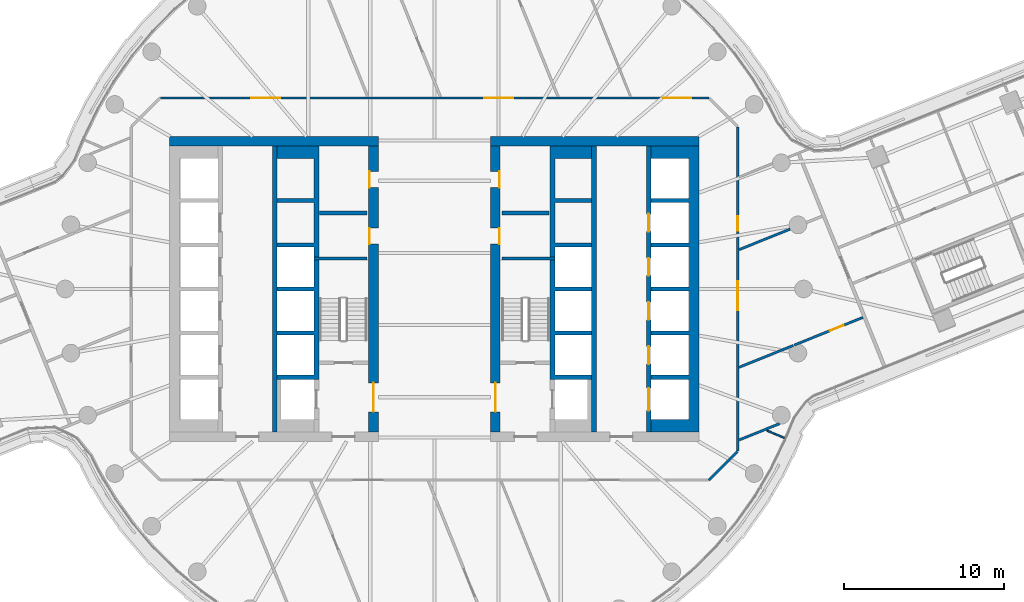
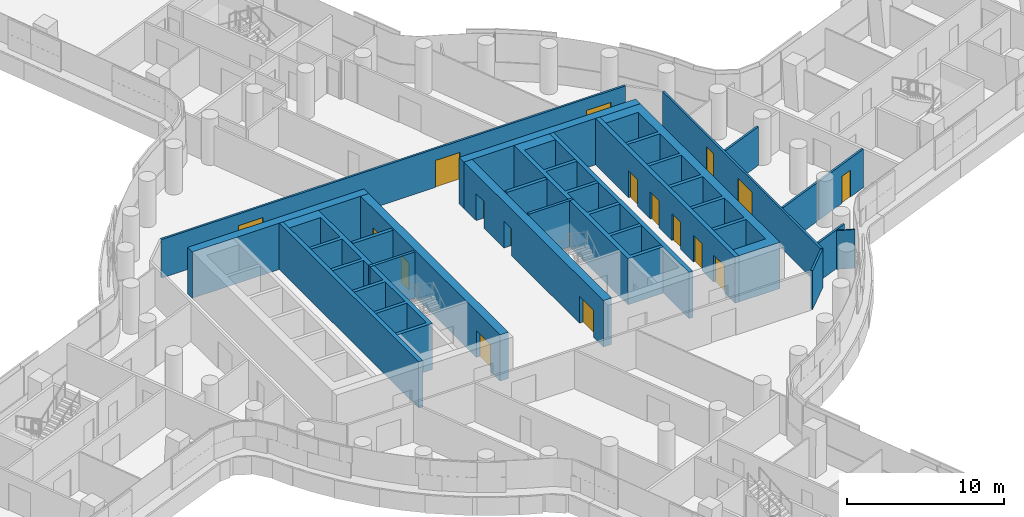
# One storey, part 22 of 32: 22 walls, 17 doors, 17 openings.
"""IFC4 building model written with IfcOpenShell, lengths in metres."""

from ifc_helpers import new_model, si_unit, direction, frame, frame_2d, origin, place, context, subcontext, project, spatial, polyline, rectangle, outline, extrude, material, layer, layer_set, type_object, element, fill, save


model = new_model("IFC4")

# Units and contexts
model_context = context("Model", 3, precision=1e-05, world=origin(), true_north=direction((0.0, 1.0)))
body_context = subcontext(model_context, "Body", "Model", "MODEL_VIEW")
ifc_project = project(units=[si_unit("LENGTHUNIT", "METRE"), si_unit("AREAUNIT", "SQUARE_METRE"), si_unit("VOLUMEUNIT", "CUBIC_METRE"), si_unit("PLANEANGLEUNIT", "RADIAN"), si_unit("MASSUNIT", "GRAM", prefix="KILO")], contexts=[model_context])

# Site, building, storey
site_placement = place(None, origin())
site = spatial("IfcSite", under=ifc_project, at=site_placement, CompositionType="ELEMENT")
building_placement = place(site_placement, origin())
building = spatial("IfcBuilding", under=site, at=building_placement, Name="Tamarind Cross Interchange Tower", CompositionType="ELEMENT")
storey_placement = place(building_placement, frame((0.0, 0.0, 113.5)))
storey = spatial("IfcBuildingStorey", under=building, at=storey_placement, Name="L27", CompositionType="ELEMENT", Elevation=113.5)

# Wall
ifc_material_1 = material(Name="Concrete C70", Category="concrete")
ifc_layer_1 = layer(ifc_material_1, 0.60009765625)
ifc_layer_set_1 = layer_set([ifc_layer_1], Name="Concrete C70")
wall_type_1 = type_object("IfcWallType", Name="Core wall 600 mm Concrete C70", PredefinedType="SHEAR", material=ifc_layer_set_1)
wall_1_placement = place(storey_placement, frame((-16.5, 9.199951171875, 0.0), z_axis=(0.0, 0.0, 1.0), x_axis=(1.0, 0.0, 0.0)))
element("IfcWall", 1, at=wall_1_placement, inside=storey, type_object=wall_type_1, Name="Core wall CWL-L27-W-NE", PredefinedType="SHEAR", context=body_context, shape_type="SweptSolid", body=[
    extrude(rectangle(XDim=13.0, YDim=0.60009765625, at=frame_2d((6.5, 0.0))), origin(), (0.0, 0.0, 1.0), 3.610107421875),
])

# Wall, openings, doors
wall_2_placement = place(storey_placement, frame((-3.800048828125, -8.89990234375, 0.0), z_axis=(0.0, 0.0, 1.0), x_axis=(0.0, 1.0, 0.0)))
wall_2 = element("IfcWall", 2, at=wall_2_placement, inside=storey, type_object=wall_type_1, Name="Core wall CWL-L27-W-IN", PredefinedType="SHEAR", context=body_context, shape_type="SweptSolid", body=[
    extrude(rectangle(XDim=17.7998046875, YDim=0.60009765625, at=frame_2d((8.89990234375, 0.0))), origin(), (0.0, 0.0, 1.0), 3.610107421875),
])
opening_1_placement = place(wall_2_placement, frame((1.25, 0.0, 0.0)))
opening_1 = element("IfcOpeningElement", 3, at=opening_1_placement, cuts=wall_2, Name="Opening DCW4", PredefinedType="OPENING", context=body_context, shape_type="SweptSolid", body=[
    extrude(rectangle(XDim=1.800048828125, YDim=2.10009765625, at=frame_2d((0.89990234375, 1.050048828125))), frame((0.0, 0.31005859375, 0.0), z_axis=(0.0, -1.0, 0.0), x_axis=(1.0, 0.0, 0.0)), (0.0, 0.0, 1.0), 0.6201171875),
])
opening_2_placement = place(wall_2_placement, frame((11.697509765625, 0.0, 0.0)))
opening_2 = element("IfcOpeningElement", 4, at=opening_2_placement, cuts=wall_2, Name="Opening DCW5", PredefinedType="OPENING", context=body_context, shape_type="SweptSolid", body=[
    extrude(rectangle(XDim=1.0, YDim=2.10009765625, at=frame_2d((0.5, 1.050048828125))), frame((0.0, 0.31005859375, 0.0), z_axis=(0.0, -1.0, 0.0), x_axis=(1.0, 0.0, 0.0)), (0.0, 0.0, 1.0), 0.6201171875),
])
opening_3_placement = place(wall_2_placement, frame((15.222412109375, 0.0, 0.0)))
opening_3 = element("IfcOpeningElement", 5, at=opening_3_placement, cuts=wall_2, Name="Opening DCW5", PredefinedType="OPENING", context=body_context, shape_type="SweptSolid", body=[
    extrude(rectangle(XDim=1.0, YDim=2.10009765625, at=frame_2d((0.5, 1.050048828125))), frame((0.0, 0.31005859375, 0.0), z_axis=(0.0, -1.0, 0.0), x_axis=(1.0, 0.0, 0.0)), (0.0, 0.0, 1.0), 0.6201171875),
])
ifc_material_2 = material(Name="Steel, fire-resisting", Category="steel")
door_type_1 = type_object("IfcDoorType", Name="Core fire door 1000 x 2100 FD90", OperationType="SINGLE_SWING_LEFT", PredefinedType="DOOR", material=ifc_material_2)
door_1_placement = place(opening_2_placement, origin())
door_1 = element("IfcDoor", 6, at=door_1_placement, inside=storey, type_object=door_type_1, Name="L27 comms room door", OperationType="SINGLE_SWING_LEFT", OverallHeight=2.10009765625, OverallWidth=1.0, PredefinedType="DOOR", context=body_context, shape_type="SweptSolid", body=[
    extrude(rectangle(XDim=1.0, YDim=2.10009765625, at=frame_2d((0.5, 1.050048828125))), frame((0.0, 0.27490234375, 0.0), z_axis=(0.0, -1.0, 0.0), x_axis=(1.0, 0.0, 0.0)), (0.0, 0.0, 1.0), 0.050048828125),
])
fill(opening_2, door_1)
door_2_placement = place(opening_3_placement, origin())
door_2 = element("IfcDoor", 7, at=door_2_placement, inside=storey, type_object=door_type_1, Name="L27 cleaner's store door", OperationType="SINGLE_SWING_LEFT", OverallHeight=2.10009765625, OverallWidth=1.0, PredefinedType="DOOR", context=body_context, shape_type="SweptSolid", body=[
    extrude(rectangle(XDim=1.0, YDim=2.10009765625, at=frame_2d((0.5, 1.050048828125))), frame((0.0, 0.27490234375, 0.0), z_axis=(0.0, -1.0, 0.0), x_axis=(1.0, 0.0, 0.0)), (0.0, 0.0, 1.0), 0.050048828125),
])
fill(opening_3, door_2)
door_type_2 = type_object("IfcDoorType", Name="Core fire door 1800 x 2100 FD90", OperationType="SINGLE_SWING_LEFT", PredefinedType="DOOR", material=ifc_material_2)
door_3_placement = place(opening_1_placement, origin())
door_3 = element("IfcDoor", 8, at=door_3_placement, inside=storey, type_object=door_type_2, Name="L27 firefighting lobby door", OperationType="SINGLE_SWING_LEFT", OverallHeight=2.10009765625, OverallWidth=1.800048828125, PredefinedType="DOOR", context=body_context, shape_type="SweptSolid", body=[
    extrude(rectangle(XDim=1.800048828125, YDim=2.10009765625, at=frame_2d((0.89990234375, 1.050048828125))), frame((0.0, 0.02490234375, 0.0), z_axis=(0.0, -1.0, 0.0), x_axis=(1.0, 0.0, 0.0)), (0.0, 0.0, 1.0), 0.050048828125),
])
fill(opening_1, door_3)

# Walls
wall_3_placement = place(storey_placement, origin())
element("IfcWall", 9, at=wall_3_placement, inside=storey, type_object=wall_type_1, Name="Core wall CWL-L27-E-A", PredefinedType="SHEAR", context=body_context, shape_type="SweptSolid", body=[
    extrude(outline(polyline([(13.5, -8.89990234375), (15.89990234375, -8.89990234375), (16.5, -8.89990234375), (16.5, 8.89990234375), (15.89990234375, 8.89990234375), (13.5, 8.89990234375), (13.5, 8.125), (15.89990234375, 8.125), (15.89990234375, 5.625), (13.5, 5.625), (13.5, 5.375), (15.89990234375, 5.375), (15.89990234375, 2.875), (13.5, 2.875), (13.5, 2.625), (15.89990234375, 2.625), (15.89990234375, 0.125), (13.5, 0.125), (13.5, -0.125), (15.89990234375, -0.125), (15.89990234375, -2.625), (13.5, -2.625), (13.5, -2.875), (15.89990234375, -2.875), (15.89990234375, -5.375), (13.5, -5.375), (13.5, -5.625), (15.89990234375, -5.625), (15.89990234375, -8.125), (13.5, -8.125), (13.5, -8.89990234375)])), origin(), (0.0, 0.0, 1.0), 3.610107421875),
])
wall_4_placement = place(storey_placement, frame((16.5, 9.199951171875, 0.0), z_axis=(0.0, 0.0, 1.0), x_axis=(-1.0, 0.0, 0.0)))
element("IfcWall", 10, at=wall_4_placement, inside=storey, type_object=wall_type_1, Name="Core wall CWL-L27-E-NE", PredefinedType="SHEAR", context=body_context, shape_type="SweptSolid", body=[
    extrude(rectangle(XDim=13.0, YDim=0.60009765625, at=frame_2d((6.5, 0.0))), origin(), (0.0, 0.0, 1.0), 3.610107421875),
])

# Wall, openings, doors
wall_5_placement = place(storey_placement, frame((3.800048828125, -8.89990234375, 0.0), z_axis=(0.0, 0.0, 1.0), x_axis=(0.0, 1.0, 0.0)))
wall_5 = element("IfcWall", 11, at=wall_5_placement, inside=storey, type_object=wall_type_1, Name="Core wall CWL-L27-E-IN", PredefinedType="SHEAR", context=body_context, shape_type="SweptSolid", body=[
    extrude(rectangle(XDim=17.7998046875, YDim=0.60009765625, at=frame_2d((8.89990234375, 0.0))), origin(), (0.0, 0.0, 1.0), 3.610107421875),
])
opening_4_placement = place(wall_5_placement, frame((1.25, 0.0, 0.0)))
opening_4 = element("IfcOpeningElement", 12, at=opening_4_placement, cuts=wall_5, Name="Opening DCE4", PredefinedType="OPENING", context=body_context, shape_type="SweptSolid", body=[
    extrude(rectangle(XDim=1.800048828125, YDim=2.10009765625, at=frame_2d((0.89990234375, 1.050048828125))), frame((0.0, 0.31005859375, 0.0), z_axis=(0.0, -1.0, 0.0), x_axis=(1.0, 0.0, 0.0)), (0.0, 0.0, 1.0), 0.6201171875),
])
opening_5_placement = place(wall_5_placement, frame((11.697509765625, 0.0, 0.0)))
opening_5 = element("IfcOpeningElement", 13, at=opening_5_placement, cuts=wall_5, Name="Opening DCE5", PredefinedType="OPENING", context=body_context, shape_type="SweptSolid", body=[
    extrude(rectangle(XDim=1.0, YDim=2.10009765625, at=frame_2d((0.5, 1.050048828125))), frame((0.0, 0.31005859375, 0.0), z_axis=(0.0, -1.0, 0.0), x_axis=(1.0, 0.0, 0.0)), (0.0, 0.0, 1.0), 0.6201171875),
])
opening_6_placement = place(wall_5_placement, frame((15.222412109375, 0.0, 0.0)))
opening_6 = element("IfcOpeningElement", 14, at=opening_6_placement, cuts=wall_5, Name="Opening DCE5", PredefinedType="OPENING", context=body_context, shape_type="SweptSolid", body=[
    extrude(rectangle(XDim=1.0, YDim=2.10009765625, at=frame_2d((0.5, 1.050048828125))), frame((0.0, 0.31005859375, 0.0), z_axis=(0.0, -1.0, 0.0), x_axis=(1.0, 0.0, 0.0)), (0.0, 0.0, 1.0), 0.6201171875),
])
door_4_placement = place(opening_5_placement, origin())
door_4 = element("IfcDoor", 15, at=door_4_placement, inside=storey, type_object=door_type_1, Name="L27 comms room door", OperationType="SINGLE_SWING_LEFT", OverallHeight=2.10009765625, OverallWidth=1.0, PredefinedType="DOOR", context=body_context, shape_type="SweptSolid", body=[
    extrude(rectangle(XDim=1.0, YDim=2.10009765625, at=frame_2d((0.5, 1.050048828125))), frame((0.0, -0.22509765625, 0.0), z_axis=(0.0, -1.0, 0.0), x_axis=(1.0, 0.0, 0.0)), (0.0, 0.0, 1.0), 0.050048828125),
])
fill(opening_5, door_4)
door_5_placement = place(opening_6_placement, origin())
door_5 = element("IfcDoor", 16, at=door_5_placement, inside=storey, type_object=door_type_1, Name="L27 cleaner's store door", OperationType="SINGLE_SWING_LEFT", OverallHeight=2.10009765625, OverallWidth=1.0, PredefinedType="DOOR", context=body_context, shape_type="SweptSolid", body=[
    extrude(rectangle(XDim=1.0, YDim=2.10009765625, at=frame_2d((0.5, 1.050048828125))), frame((0.0, -0.22509765625, 0.0), z_axis=(0.0, -1.0, 0.0), x_axis=(1.0, 0.0, 0.0)), (0.0, 0.0, 1.0), 0.050048828125),
])
fill(opening_6, door_5)
door_6_placement = place(opening_4_placement, origin())
door_6 = element("IfcDoor", 17, at=door_6_placement, inside=storey, type_object=door_type_2, Name="L27 firefighting lobby door", OperationType="SINGLE_SWING_LEFT", OverallHeight=2.10009765625, OverallWidth=1.800048828125, PredefinedType="DOOR", context=body_context, shape_type="SweptSolid", body=[
    extrude(rectangle(XDim=1.800048828125, YDim=2.10009765625, at=frame_2d((0.89990234375, 1.050048828125))), frame((0.0, 0.02490234375, 0.0), z_axis=(0.0, -1.0, 0.0), x_axis=(1.0, 0.0, 0.0)), (0.0, 0.0, 1.0), 0.050048828125),
])
fill(opening_4, door_6)

# Walls
ifc_layer_2 = layer(ifc_material_1, 0.199951171875)
ifc_layer_set_2 = layer_set([ifc_layer_2], Name="Concrete C70")
wall_type_2 = type_object("IfcWallType", Name="Core web wall 200 mm Concrete C70", PredefinedType="SHEAR", material=ifc_layer_set_2)
for number, where, z_axis, x_axis, name in (
    (18, (-7.5, 1.89990234375, 0.0), (0.0, 0.0, 1.0), (1.0, 0.0, 0.0), "Core wall CWL-L27-W-BD"),
    (19, (7.5, 1.89990234375, 0.0), (0.0, 0.0, 1.0), (-1.0, 0.0, 0.0), "Core wall CWL-L27-E-BD"),
):
    element("IfcWall", number, at=place(storey_placement, frame(where, z_axis=z_axis, x_axis=x_axis)), inside=storey, type_object=wall_type_2, Name=name, PredefinedType="SHEAR", context=body_context, shape_type="SweptSolid", body=[
        extrude(rectangle(XDim=3.300048828125, YDim=0.199951171875, at=frame_2d((1.64990234375, 0.0))), origin(), (0.0, 0.0, 1.0), 3.610107421875),
    ])
ifc_layer_3 = layer(ifc_material_1, 0.300048828125)
ifc_layer_set_3 = layer_set([ifc_layer_3], Name="Concrete C70")
wall_type_3 = type_object("IfcWallType", Name="Core web wall 300 mm Concrete C70", PredefinedType="SHEAR", material=ifc_layer_set_3)
wall_6_placement = place(storey_placement, origin())
element("IfcWall", 20, at=wall_6_placement, inside=storey, type_object=wall_type_3, Name="Core wall CWL-L27-W-BN", PredefinedType="SHEAR", context=body_context, shape_type="SweptSolid", body=[
    extrude(outline(polyline([(-9.800048828125, -5.375), (-9.800048828125, -5.625), (-7.5, -5.625), (-7.199951171875, -5.625), (-7.199951171875, 8.89990234375), (-7.5, 8.89990234375), (-9.800048828125, 8.89990234375), (-9.800048828125, 8.125), (-7.5, 8.125), (-7.5, 5.625), (-9.800048828125, 5.625), (-9.800048828125, 5.375), (-7.5, 5.375), (-7.5, 2.875), (-9.800048828125, 2.875), (-9.800048828125, 2.625), (-7.5, 2.625), (-7.5, 0.125), (-9.800048828125, 0.125), (-9.800048828125, -0.125), (-7.5, -0.125), (-7.5, -2.625), (-9.800048828125, -2.625), (-9.800048828125, -2.875), (-7.5, -2.875), (-7.5, -5.375), (-9.800048828125, -5.375)])), origin(), (0.0, 0.0, 1.0), 3.610107421875),
])
wall_7_placement = place(storey_placement, frame((-9.949951171875, -8.89990234375, 0.0), z_axis=(0.0, 0.0, 1.0), x_axis=(0.0, 1.0, 0.0)))
element("IfcWall", 21, at=wall_7_placement, inside=storey, type_object=wall_type_3, Name="Core wall CWL-L27-W-LB", PredefinedType="SHEAR", context=body_context, shape_type="SweptSolid", body=[
    extrude(rectangle(XDim=17.7998046875, YDim=0.300048828125, at=frame_2d((8.89990234375, 0.0))), origin(), (0.0, 0.0, 1.0), 3.610107421875),
])
wall_8_placement = place(storey_placement, origin())
element("IfcWall", 22, at=wall_8_placement, inside=storey, type_object=wall_type_3, Name="Core wall CWL-L27-E-BN", PredefinedType="SHEAR", context=body_context, shape_type="SweptSolid", body=[
    extrude(outline(polyline([(9.800048828125, -5.375), (7.5, -5.375), (7.5, -2.875), (9.800048828125, -2.875), (9.800048828125, -2.625), (7.5, -2.625), (7.5, -0.125), (9.800048828125, -0.125), (9.800048828125, 0.125), (7.5, 0.125), (7.5, 2.625), (9.800048828125, 2.625), (9.800048828125, 2.875), (7.5, 2.875), (7.5, 5.375), (9.800048828125, 5.375), (9.800048828125, 5.625), (7.5, 5.625), (7.5, 8.125), (9.800048828125, 8.125), (9.800048828125, 8.89990234375), (7.5, 8.89990234375), (7.199951171875, 8.89990234375), (7.199951171875, -5.625), (7.5, -5.625), (9.800048828125, -5.625), (9.800048828125, -5.375)])), origin(), (0.0, 0.0, 1.0), 3.610107421875),
])

# Wall, openings, doors
wall_9_placement = place(storey_placement, frame((13.35009765625, -8.89990234375, 0.0), z_axis=(0.0, 0.0, 1.0), x_axis=(0.0, 1.0, 0.0)))
wall_9 = element("IfcWall", 23, at=wall_9_placement, inside=storey, type_object=wall_type_3, Name="Core wall CWL-L27-E-LA", PredefinedType="SHEAR", context=body_context, shape_type="SweptSolid", body=[
    extrude(rectangle(XDim=17.7998046875, YDim=0.300048828125, at=frame_2d((8.89990234375, 0.0))), origin(), (0.0, 0.0, 1.0), 3.610107421875),
])
opening_7_placement = place(wall_9_placement, frame((1.324951171875, 0.0, 0.0)))
opening_7 = element("IfcOpeningElement", 24, at=opening_7_placement, cuts=wall_9, Name="Opening LD13L27", PredefinedType="OPENING", context=body_context, shape_type="SweptSolid", body=[
    extrude(rectangle(XDim=1.39990234375, YDim=2.10009765625, at=frame_2d((0.699951171875, 1.050048828125))), frame((0.0, 0.159912109375, 0.0), z_axis=(0.0, -1.0, 0.0), x_axis=(1.0, 0.0, 0.0)), (0.0, 0.0, 1.0), 0.320068359375),
])
opening_8_placement = place(wall_9_placement, frame((4.22509765625, 0.0, 0.0)))
opening_8 = element("IfcOpeningElement", 25, at=opening_8_placement, cuts=wall_9, Name="Opening LD14L27", PredefinedType="OPENING", context=body_context, shape_type="SweptSolid", body=[
    extrude(rectangle(XDim=1.10009765625, YDim=2.10009765625, at=frame_2d((0.550048828125, 1.050048828125))), frame((0.0, 0.159912109375, 0.0), z_axis=(0.0, -1.0, 0.0), x_axis=(1.0, 0.0, 0.0)), (0.0, 0.0, 1.0), 0.320068359375),
])
opening_9_placement = place(wall_9_placement, frame((6.97509765625, 0.0, 0.0)))
opening_9 = element("IfcOpeningElement", 26, at=opening_9_placement, cuts=wall_9, Name="Opening LD15L27", PredefinedType="OPENING", context=body_context, shape_type="SweptSolid", body=[
    extrude(rectangle(XDim=1.10009765625, YDim=2.10009765625, at=frame_2d((0.550048828125, 1.050048828125))), frame((0.0, 0.159912109375, 0.0), z_axis=(0.0, -1.0, 0.0), x_axis=(1.0, 0.0, 0.0)), (0.0, 0.0, 1.0), 0.320068359375),
])
opening_10_placement = place(wall_9_placement, frame((9.72509765625, 0.0, 0.0)))
opening_10 = element("IfcOpeningElement", 27, at=opening_10_placement, cuts=wall_9, Name="Opening LD16L27", PredefinedType="OPENING", context=body_context, shape_type="SweptSolid", body=[
    extrude(rectangle(XDim=1.10009765625, YDim=2.10009765625, at=frame_2d((0.550048828125, 1.050048828125))), frame((0.0, 0.159912109375, 0.0), z_axis=(0.0, -1.0, 0.0), x_axis=(1.0, 0.0, 0.0)), (0.0, 0.0, 1.0), 0.320068359375),
])
opening_11_placement = place(wall_9_placement, frame((12.47509765625, 0.0, 0.0)))
opening_11 = element("IfcOpeningElement", 28, at=opening_11_placement, cuts=wall_9, Name="Opening LD17L27", PredefinedType="OPENING", context=body_context, shape_type="SweptSolid", body=[
    extrude(rectangle(XDim=1.10009765625, YDim=2.10009765625, at=frame_2d((0.550048828125, 1.050048828125))), frame((0.0, 0.159912109375, 0.0), z_axis=(0.0, -1.0, 0.0), x_axis=(1.0, 0.0, 0.0)), (0.0, 0.0, 1.0), 0.320068359375),
])
ifc_material_3 = material(Name="Stainless steel panel", Category="steel")
door_type_3 = type_object("IfcDoorType", Name="Lift landing door 1100 x 2100 E 120", OperationType="SLIDING_TO_LEFT", PredefinedType="DOOR", material=ifc_material_3)
door_7_placement = place(opening_8_placement, origin())
door_7 = element("IfcDoor", 29, at=door_7_placement, inside=storey, type_object=door_type_3, Name="L27 landing door LF14", OperationType="SLIDING_TO_LEFT", OverallHeight=2.10009765625, OverallWidth=1.10009765625, PredefinedType="DOOR", context=body_context, shape_type="SweptSolid", body=[
    extrude(rectangle(XDim=1.10009765625, YDim=2.10009765625, at=frame_2d((0.550048828125, 1.050048828125))), frame((0.0, 0.02490234375, 0.0), z_axis=(0.0, -1.0, 0.0), x_axis=(1.0, 0.0, 0.0)), (0.0, 0.0, 1.0), 0.050048828125),
])
fill(opening_8, door_7)
door_8_placement = place(opening_9_placement, origin())
door_8 = element("IfcDoor", 30, at=door_8_placement, inside=storey, type_object=door_type_3, Name="L27 landing door LF15", OperationType="SLIDING_TO_LEFT", OverallHeight=2.10009765625, OverallWidth=1.10009765625, PredefinedType="DOOR", context=body_context, shape_type="SweptSolid", body=[
    extrude(rectangle(XDim=1.10009765625, YDim=2.10009765625, at=frame_2d((0.550048828125, 1.050048828125))), frame((0.0, 0.02490234375, 0.0), z_axis=(0.0, -1.0, 0.0), x_axis=(1.0, 0.0, 0.0)), (0.0, 0.0, 1.0), 0.050048828125),
])
fill(opening_9, door_8)
door_9_placement = place(opening_10_placement, origin())
door_9 = element("IfcDoor", 31, at=door_9_placement, inside=storey, type_object=door_type_3, Name="L27 landing door LF16", OperationType="SLIDING_TO_LEFT", OverallHeight=2.10009765625, OverallWidth=1.10009765625, PredefinedType="DOOR", context=body_context, shape_type="SweptSolid", body=[
    extrude(rectangle(XDim=1.10009765625, YDim=2.10009765625, at=frame_2d((0.550048828125, 1.050048828125))), frame((0.0, 0.02490234375, 0.0), z_axis=(0.0, -1.0, 0.0), x_axis=(1.0, 0.0, 0.0)), (0.0, 0.0, 1.0), 0.050048828125),
])
fill(opening_10, door_9)
door_10_placement = place(opening_11_placement, origin())
door_10 = element("IfcDoor", 32, at=door_10_placement, inside=storey, type_object=door_type_3, Name="L27 landing door LF17", OperationType="SLIDING_TO_LEFT", OverallHeight=2.10009765625, OverallWidth=1.10009765625, PredefinedType="DOOR", context=body_context, shape_type="SweptSolid", body=[
    extrude(rectangle(XDim=1.10009765625, YDim=2.10009765625, at=frame_2d((0.550048828125, 1.050048828125))), frame((0.0, 0.02490234375, 0.0), z_axis=(0.0, -1.0, 0.0), x_axis=(1.0, 0.0, 0.0)), (0.0, 0.0, 1.0), 0.050048828125),
])
fill(opening_11, door_10)
door_type_4 = type_object("IfcDoorType", Name="Lift landing door 1400 x 2100 E 120", OperationType="SLIDING_TO_LEFT", PredefinedType="DOOR", material=ifc_material_3)
door_11_placement = place(opening_7_placement, origin())
door_11 = element("IfcDoor", 33, at=door_11_placement, inside=storey, type_object=door_type_4, Name="L27 landing door LF13", OperationType="SLIDING_TO_LEFT", OverallHeight=2.10009765625, OverallWidth=1.39990234375, PredefinedType="DOOR", context=body_context, shape_type="SweptSolid", body=[
    extrude(rectangle(XDim=1.39990234375, YDim=2.10009765625, at=frame_2d((0.699951171875, 1.050048828125))), frame((0.0, 0.02490234375, 0.0), z_axis=(0.0, -1.0, 0.0), x_axis=(1.0, 0.0, 0.0)), (0.0, 0.0, 1.0), 0.050048828125),
])
fill(opening_7, door_11)

# Walls
wall_10_placement = place(storey_placement, frame((9.949951171875, -8.89990234375, 0.0), z_axis=(0.0, 0.0, 1.0), x_axis=(0.0, 1.0, 0.0)))
element("IfcWall", 34, at=wall_10_placement, inside=storey, type_object=wall_type_3, Name="Core wall CWL-L27-E-LB", PredefinedType="SHEAR", context=body_context, shape_type="SweptSolid", body=[
    extrude(rectangle(XDim=17.7998046875, YDim=0.300048828125, at=frame_2d((8.89990234375, 0.0))), origin(), (0.0, 0.0, 1.0), 3.610107421875),
])
ifc_material_4 = material(Name="Gypsum board partition on steel studs", Category="steel")
ifc_layer_4 = layer(ifc_material_4, 0.10009765625)
ifc_layer_set_4 = layer_set([ifc_layer_4], Name="Gypsum board partition on steel studs")
wall_type_4 = type_object("IfcWallType", Name="Partition 100 mm EI 90", PredefinedType="PARTITIONING", material=ifc_layer_set_4)
wall_11_placement = place(storey_placement, frame((20.710205078125, -8.81591796875, 0.0), z_axis=(0.0, 0.0, 1.0), x_axis=(0.919900111119, -0.392152757944, 0.0)))
element("IfcWall", 35, at=wall_11_placement, inside=storey, type_object=wall_type_4, Name="Partition L27-040", PredefinedType="PARTITIONING", context=body_context, shape_type="SweptSolid", body=[
    extrude(rectangle(XDim=1.184814453125, YDim=0.10009765625, at=frame_2d((0.59228515625, 0.0))), origin(), (0.0, 0.0, 1.0), 3.010009765625),
])

# Wall, openings, doors
ifc_layer_5 = layer(ifc_material_4, 0.14990234375)
ifc_layer_set_5 = layer_set([ifc_layer_5], Name="Gypsum board partition on steel studs")
wall_type_5 = type_object("IfcWallType", Name="Partition 150 mm EI 120", PredefinedType="PARTITIONING", material=ifc_layer_set_5)
wall_12_placement = place(storey_placement, frame((-17.06494140625, 11.89990234375, 0.0), z_axis=(0.0, 0.0, 1.0), x_axis=(1.0, 0.0, 0.0)))
wall_12 = element("IfcWall", 36, at=wall_12_placement, inside=storey, type_object=wall_type_5, Name="Partition L27-042", PredefinedType="PARTITIONING", context=body_context, shape_type="SweptSolid", body=[
    extrude(rectangle(XDim=34.1650390625, YDim=0.14990234375, at=frame_2d((17.08251953125, 0.0))), origin(), (0.0, 0.0, 1.0), 3.010009765625),
])
opening_12_placement = place(wall_12_placement, frame((20.16796875, 0.0, 0.0)))
opening_12 = element("IfcOpeningElement", 37, at=opening_12_placement, cuts=wall_12, Name="Opening D23", PredefinedType="OPENING", context=body_context, shape_type="SweptSolid", body=[
    extrude(rectangle(XDim=1.800048828125, YDim=2.10009765625, at=frame_2d((0.89990234375, 1.050048828125))), frame((0.0, 0.0849609375, 0.0), z_axis=(0.0, -1.0, 0.0), x_axis=(1.0, 0.0, 0.0)), (0.0, 0.0, 1.0), 0.169921875),
])
opening_13_placement = place(wall_12_placement, frame((31.277099609375, 0.0, 0.0)))
opening_13 = element("IfcOpeningElement", 38, at=opening_13_placement, cuts=wall_12, Name="Opening D24", PredefinedType="OPENING", context=body_context, shape_type="SweptSolid", body=[
    extrude(rectangle(XDim=1.800048828125, YDim=2.10009765625, at=frame_2d((0.89990234375, 1.050048828125))), frame((0.0, 0.0849609375, 0.0), z_axis=(0.0, -1.0, 0.0), x_axis=(1.0, 0.0, 0.0)), (0.0, 0.0, 1.0), 0.169921875),
])
opening_14_placement = place(wall_12_placement, frame((5.6650390625, 0.0, 0.0)))
opening_14 = element("IfcOpeningElement", 39, at=opening_14_placement, cuts=wall_12, Name="Opening D25", PredefinedType="OPENING", context=body_context, shape_type="SweptSolid", body=[
    extrude(rectangle(XDim=1.800048828125, YDim=2.10009765625, at=frame_2d((0.89990234375, 1.050048828125))), frame((0.0, 0.0849609375, 0.0), z_axis=(0.0, -1.0, 0.0), x_axis=(1.0, 0.0, 0.0)), (0.0, 0.0, 1.0), 0.169921875),
])
ifc_material_5 = material(Name="Fire-resisting door set")
door_type_5 = type_object("IfcDoorType", Name="Interior door 1800 x 2100 FD60S", OperationType="DOUBLE_DOOR_SINGLE_SWING", PredefinedType="DOOR", material=ifc_material_5)
door_12_placement = place(opening_12_placement, frame((1.800048828125, 0.0, 0.0), z_axis=(0.0, 0.0, 1.0), x_axis=(-1.0, 0.0, 0.0)))
door_12 = element("IfcDoor", 40, at=door_12_placement, inside=storey, type_object=door_type_5, Name="Door D23", OperationType="DOUBLE_DOOR_SINGLE_SWING", OverallHeight=2.10009765625, OverallWidth=1.800048828125, PredefinedType="DOOR", context=body_context, shape_type="SweptSolid", body=[
    extrude(rectangle(XDim=1.800048828125, YDim=2.10009765625, at=frame_2d((0.89990234375, 1.050048828125))), frame((0.0, 0.02490234375, 0.0), z_axis=(0.0, -1.0, 0.0), x_axis=(1.0, 0.0, 0.0)), (0.0, 0.0, 1.0), 0.050048828125),
])
fill(opening_12, door_12)
door_13_placement = place(opening_13_placement, origin())
door_13 = element("IfcDoor", 41, at=door_13_placement, inside=storey, type_object=door_type_5, Name="Door D24", OperationType="DOUBLE_DOOR_SINGLE_SWING", OverallHeight=2.10009765625, OverallWidth=1.800048828125, PredefinedType="DOOR", context=body_context, shape_type="SweptSolid", body=[
    extrude(rectangle(XDim=1.800048828125, YDim=2.10009765625, at=frame_2d((0.89990234375, 1.050048828125))), frame((0.0, 0.02490234375, 0.0), z_axis=(0.0, -1.0, 0.0), x_axis=(1.0, 0.0, 0.0)), (0.0, 0.0, 1.0), 0.050048828125),
])
fill(opening_13, door_13)
door_14_placement = place(opening_14_placement, origin())
door_14 = element("IfcDoor", 42, at=door_14_placement, inside=storey, type_object=door_type_5, Name="Door D25", OperationType="DOUBLE_DOOR_SINGLE_SWING", OverallHeight=2.10009765625, OverallWidth=1.800048828125, PredefinedType="DOOR", context=body_context, shape_type="SweptSolid", body=[
    extrude(rectangle(XDim=1.800048828125, YDim=2.10009765625, at=frame_2d((0.89990234375, 1.050048828125))), frame((0.0, 0.02490234375, 0.0), z_axis=(0.0, -1.0, 0.0), x_axis=(1.0, 0.0, 0.0)), (0.0, 0.0, 1.0), 0.050048828125),
])
fill(opening_14, door_14)

# Walls
wall_13_placement = place(storey_placement, frame((18.9833984375, -9.408447265625, 0.0), z_axis=(0.0, 0.0, 1.0), x_axis=(0.927604613821, 0.373563489139, 0.0)))
element("IfcWall", 43, at=wall_13_placement, inside=storey, type_object=wall_type_5, Name="Partition L27-068", PredefinedType="PARTITIONING", context=body_context, shape_type="SweptSolid", body=[
    extrude(rectangle(XDim=2.7109375, YDim=0.14990234375, at=frame_2d((1.35546875, 0.0))), origin(), (0.0, 0.0, 1.0), 3.010009765625),
])
wall_14_placement = place(storey_placement, frame((18.9833984375, -4.88037109375, 0.0), z_axis=(0.0, 0.0, 1.0), x_axis=(0.927594907251, 0.373587590855, 0.0)))
element("IfcWall", 44, at=wall_14_placement, inside=storey, type_object=wall_type_5, Name="Partition L27-069", PredefinedType="PARTITIONING", context=body_context, shape_type="SweptSolid", body=[
    extrude(rectangle(XDim=3.638671875, YDim=0.14990234375, at=frame_2d((1.8193359375, 0.0))), origin(), (0.0, 0.0, 1.0), 3.010009765625),
])

# Wall, opening, door
wall_15_placement = place(storey_placement, frame((22.423583984375, -3.49462890625, 0.0), z_axis=(0.0, 0.0, 1.0), x_axis=(0.92759802507, 0.373579849412, 0.0)))
wall_15 = element("IfcWall", 45, at=wall_15_placement, inside=storey, type_object=wall_type_5, Name="Partition L27-070", PredefinedType="PARTITIONING", context=body_context, shape_type="SweptSolid", body=[
    extrude(rectangle(XDim=4.612548828125, YDim=0.14990234375, at=frame_2d((2.30615234375, 0.0))), origin(), (0.0, 0.0, 1.0), 3.010009765625),
])
opening_15_placement = place(wall_15_placement, frame((2.39990234375, 0.0, 0.0)))
opening_15 = element("IfcOpeningElement", 46, at=opening_15_placement, cuts=wall_15, Name="Opening D34", PredefinedType="OPENING", context=body_context, shape_type="SweptSolid", body=[
    extrude(rectangle(XDim=0.89990234375, YDim=2.10009765625, at=frame_2d((0.449951171875, 1.050048828125))), frame((0.0, 0.0849609375, 0.0), z_axis=(0.0, -1.0, 0.0), x_axis=(1.0, 0.0, 0.0)), (0.0, 0.0, 1.0), 0.169921875),
])
door_type_6 = type_object("IfcDoorType", Name="Interior door 900 x 2100 FD60S", OperationType="SINGLE_SWING_LEFT", PredefinedType="DOOR", material=ifc_material_5)
door_15_placement = place(opening_15_placement, frame((0.89990234375, 0.0, 0.0), z_axis=(0.0, 0.0, 1.0), x_axis=(-1.0, 0.0, 0.0)))
door_15 = element("IfcDoor", 47, at=door_15_placement, inside=storey, type_object=door_type_6, Name="Door D34", OperationType="SINGLE_SWING_RIGHT", OverallHeight=2.10009765625, OverallWidth=0.89990234375, PredefinedType="DOOR", context=body_context, shape_type="SweptSolid", body=[
    extrude(rectangle(XDim=0.89990234375, YDim=2.10009765625, at=frame_2d((0.449951171875, 1.050048828125))), frame((0.0, 0.02490234375, 0.0), z_axis=(0.0, -1.0, 0.0), x_axis=(1.0, 0.0, 0.0)), (0.0, 0.0, 1.0), 0.050048828125),
])
fill(opening_15, door_15)

# Walls
wall_16_placement = place(storey_placement, frame((18.9833984375, 2.45068359375, 0.0), z_axis=(0.0, 0.0, 1.0), x_axis=(0.927574565159, 0.373638095047, 0.0)))
element("IfcWall", 48, at=wall_16_placement, inside=storey, type_object=wall_type_5, Name="Partition L27-071", PredefinedType="PARTITIONING", context=body_context, shape_type="SweptSolid", body=[
    extrude(rectangle(XDim=3.42578125, YDim=0.14990234375, at=frame_2d((1.712890625, 0.0))), origin(), (0.0, 0.0, 1.0), 3.010009765625),
])
wall_17_placement = place(storey_placement, frame((17.10009765625, -11.89990234375, 0.0), z_axis=(0.0, 0.0, 1.0), x_axis=(0.707106781187, 0.707106781187, 0.0)))
element("IfcWall", 49, at=wall_17_placement, inside=storey, type_object=wall_type_5, Name="Partition L27-079", PredefinedType="PARTITIONING", context=body_context, shape_type="SweptSolid", body=[
    extrude(rectangle(XDim=2.50537109375, YDim=0.14990234375, at=frame_2d((1.252685546875, 0.0))), origin(), (0.0, 0.0, 1.0), 3.010009765625),
])

# Wall, openings, doors
wall_18_placement = place(storey_placement, frame((18.89990234375, -10.10009765625, 0.0), z_axis=(0.0, 0.0, 1.0), x_axis=(0.0, 1.0, 0.0)))
wall_18 = element("IfcWall", 50, at=wall_18_placement, inside=storey, type_object=wall_type_5, Name="Partition L27-083", PredefinedType="PARTITIONING", context=body_context, shape_type="SweptSolid", body=[
    extrude(rectangle(XDim=20.2001953125, YDim=0.14990234375, at=frame_2d((10.10009765625, 0.0))), origin(), (0.0, 0.0, 1.0), 3.010009765625),
])
opening_16_placement = place(wall_18_placement, frame((8.785888671875, 0.0, 0.0)))
opening_16 = element("IfcOpeningElement", 51, at=opening_16_placement, cuts=wall_18, Name="Opening D43", PredefinedType="OPENING", context=body_context, shape_type="SweptSolid", body=[
    extrude(rectangle(XDim=1.800048828125, YDim=2.10009765625, at=frame_2d((0.89990234375, 1.050048828125))), frame((0.0, 0.0849609375, 0.0), z_axis=(0.0, -1.0, 0.0), x_axis=(1.0, 0.0, 0.0)), (0.0, 0.0, 1.0), 0.169921875),
])
opening_17_placement = place(wall_18_placement, frame((13.717041015625, 0.0, 0.0)))
opening_17 = element("IfcOpeningElement", 52, at=opening_17_placement, cuts=wall_18, Name="Opening D44", PredefinedType="OPENING", context=body_context, shape_type="SweptSolid", body=[
    extrude(rectangle(XDim=0.89990234375, YDim=2.10009765625, at=frame_2d((0.449951171875, 1.050048828125))), frame((0.0, 0.0849609375, 0.0), z_axis=(0.0, -1.0, 0.0), x_axis=(1.0, 0.0, 0.0)), (0.0, 0.0, 1.0), 0.169921875),
])
door_16_placement = place(opening_16_placement, origin())
door_16 = element("IfcDoor", 53, at=door_16_placement, inside=storey, type_object=door_type_5, Name="Door D43", OperationType="DOUBLE_DOOR_SINGLE_SWING", OverallHeight=2.10009765625, OverallWidth=1.800048828125, PredefinedType="DOOR", context=body_context, shape_type="SweptSolid", body=[
    extrude(rectangle(XDim=1.800048828125, YDim=2.10009765625, at=frame_2d((0.89990234375, 1.050048828125))), frame((0.0, 0.02490234375, 0.0), z_axis=(0.0, -1.0, 0.0), x_axis=(1.0, 0.0, 0.0)), (0.0, 0.0, 1.0), 0.050048828125),
])
fill(opening_16, door_16)
door_17_placement = place(opening_17_placement, frame((0.89990234375, 0.0, 0.0), z_axis=(0.0, 0.0, 1.0), x_axis=(-1.0, 0.0, 0.0)))
door_17 = element("IfcDoor", 54, at=door_17_placement, inside=storey, type_object=door_type_6, Name="Door D44", OperationType="SINGLE_SWING_RIGHT", OverallHeight=2.10009765625, OverallWidth=0.89990234375, PredefinedType="DOOR", context=body_context, shape_type="SweptSolid", body=[
    extrude(rectangle(XDim=0.89990234375, YDim=2.10009765625, at=frame_2d((0.449951171875, 1.050048828125))), frame((0.0, 0.02490234375, 0.0), z_axis=(0.0, -1.0, 0.0), x_axis=(1.0, 0.0, 0.0)), (0.0, 0.0, 1.0), 0.050048828125),
])
fill(opening_17, door_17)

# Walls
ifc_material_6 = material(Name="Concrete C40", Category="concrete")
ifc_layer_6 = layer(ifc_material_6, 0.25)
ifc_layer_set_6 = layer_set([ifc_layer_6], Name="Concrete C40")
wall_type_6 = type_object("IfcWallType", Name="Shaft and lobby wall 250 mm Concrete C40", PredefinedType="PARTITIONING", material=ifc_layer_set_6)
for number, where, z_axis, x_axis, name in (
    (55, (-7.14990234375, 4.719970703125, 0.0), (0.0, 0.0, 1.0), (1.0, 0.0, 0.0), "Shaft wall CWL-L27-W-SVP"),
    (56, (7.14990234375, 4.719970703125, 0.0), (0.0, 0.0, 1.0), (-1.0, 0.0, 0.0), "Shaft wall CWL-L27-E-SVP"),
):
    element("IfcWall", number, at=place(storey_placement, frame(where, z_axis=z_axis, x_axis=x_axis)), inside=storey, type_object=wall_type_6, Name=name, PredefinedType="PARTITIONING", context=body_context, shape_type="SweptSolid", body=[
        extrude(rectangle(XDim=2.949951171875, YDim=0.25, at=frame_2d((1.47509765625, 0.0))), origin(), (0.0, 0.0, 1.0), 3.610107421875),
    ])

save(model, "model.ifc")
